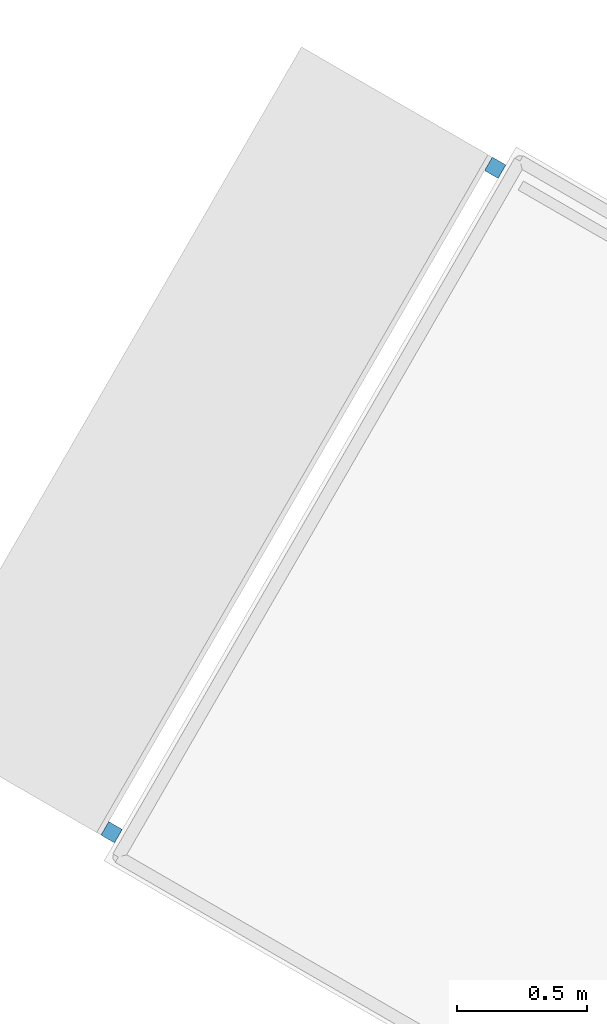
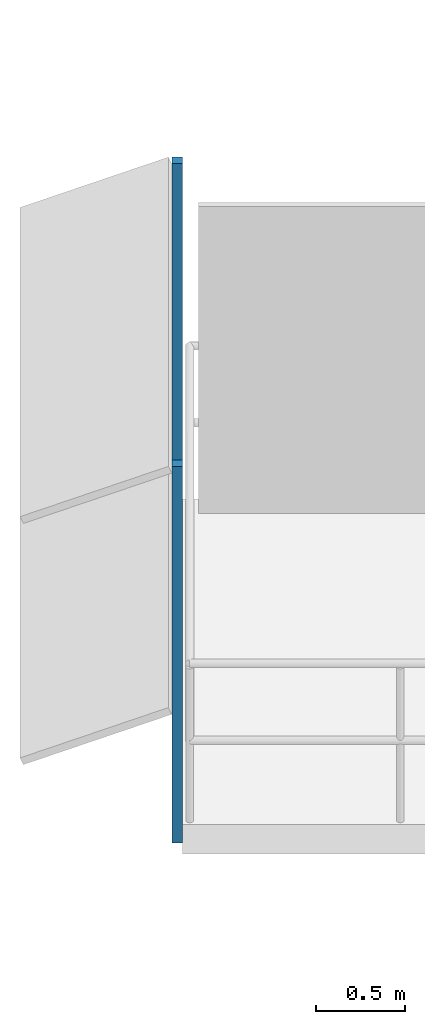
# One storey, part 10 of 14: 2 discrete accessories.
"""IFC4 building model written with IfcOpenShell, lengths in metres."""

from ifc_helpers import new_model, si_unit, direction, frame, origin, origin_2d, place, context, subcontext, project, spatial, rectangle, extrude, material, type_object, element, save


model = new_model("IFC4")

# Units and contexts
model_context = context("Model", 3, precision=1e-05, world=origin(), true_north=direction((0.0, 1.0)))
body_context = subcontext(model_context, "Body", "Model", "MODEL_VIEW")
ifc_project = project(units=[si_unit("LENGTHUNIT", "METRE"), si_unit("AREAUNIT", "SQUARE_METRE"), si_unit("VOLUMEUNIT", "CUBIC_METRE"), si_unit("PLANEANGLEUNIT", "RADIAN"), si_unit("MASSUNIT", "GRAM", prefix="KILO")], contexts=[model_context])

# Site, building, storey
site_placement = place(None, origin())
site = spatial("IfcSite", under=ifc_project, at=site_placement, CompositionType="ELEMENT")
building_placement = place(site_placement, origin())
building = spatial("IfcBuilding", under=site, at=building_placement, Name="Nakaniwa Court", CompositionType="ELEMENT")
storey_placement = place(building_placement, frame((0.0, 0.0, 117.300048828125)))
storey = spatial("IfcBuildingStorey", under=building, at=storey_placement, Name="L31", CompositionType="ELEMENT", Elevation=117.300048828125)

# Discrete accessories
ifc_material = material(Name="Black powder-coated steel bracket S275", Category="steel")
discrete_accessory_type = type_object("IfcDiscreteAccessoryType", Name="Black metal louvre bracket", PredefinedType="BRACKET", material=ifc_material)
for number, where, z_axis, x_axis, name in (
    (1, (56.578369140625, 92.29248046875, -0.22998046875), (0.0, 0.0, 1.0), (-0.499974304289, -0.866040238702, 0.0), "L31 louvre bracket 01 1"),
    (2, (55.09814453125, 89.728515625, -0.22998046875), (0.0, 0.0, 1.0), (-0.499974304289, -0.866040238702, 0.0), "L31 louvre bracket 01 2"),
):
    element("IfcDiscreteAccessory", number, at=place(storey_placement, frame(where, z_axis=z_axis, x_axis=x_axis)), inside=storey, type_object=discrete_accessory_type, Name=name, PredefinedType="BRACKET", context=body_context, shape_type="SweptSolid", body=[
        extrude(rectangle(XDim=0.06005859375, YDim=0.06005859375, at=origin_2d()), origin(), (0.0, 0.0, 1.0), 2.5751953125),
    ])

save(model, "model.ifc")
